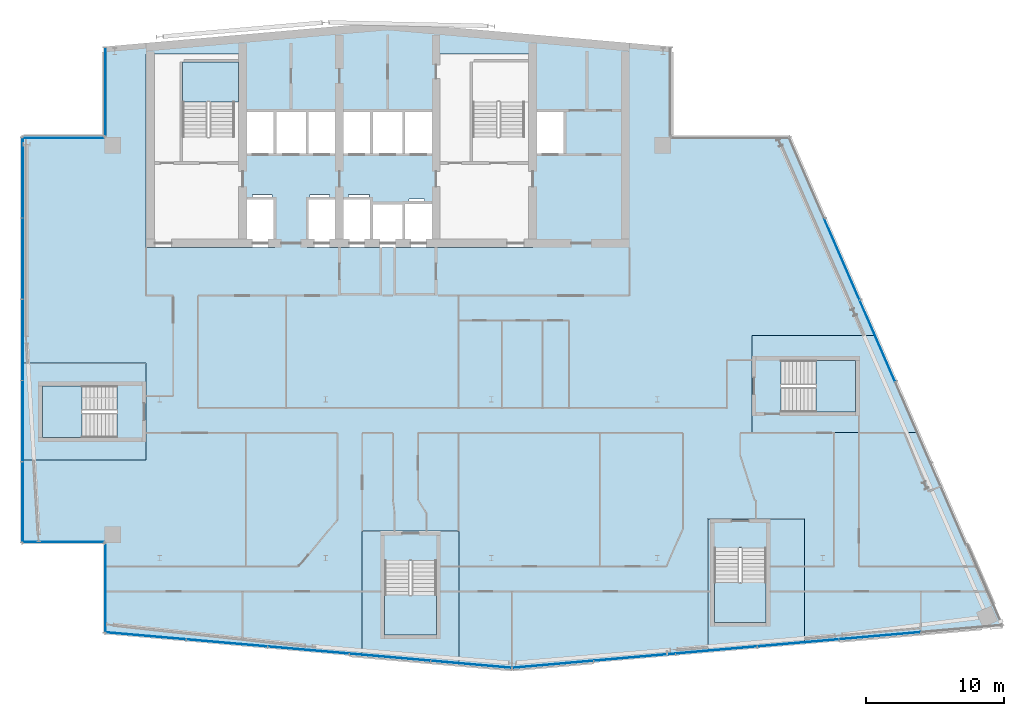
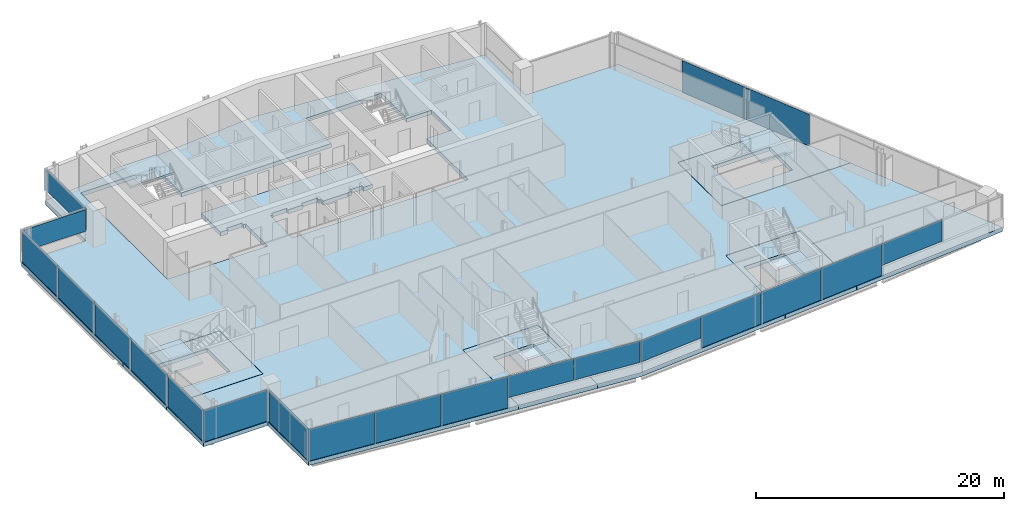
# One storey, part 12 of 22: 21 plates, 10 slabs, 13 elements without a shape of their own.
"""IFC4 building model written with IfcOpenShell, lengths in metres."""

from ifc_helpers import new_model, si_unit, direction, frame, origin, origin_2d, place, context, subcontext, project, spatial, polyline, rectangle, outline, extrude, material, layer, layer_set, type_object, element, aggregate, save


model = new_model("IFC4")

# Units and contexts
model_context = context("Model", 3, precision=1e-05, world=origin(), true_north=direction((0.0, 1.0)))
body_context = subcontext(model_context, "Body", "Model", "MODEL_VIEW")
ifc_project = project(units=[si_unit("LENGTHUNIT", "METRE"), si_unit("AREAUNIT", "SQUARE_METRE"), si_unit("VOLUMEUNIT", "CUBIC_METRE"), si_unit("PLANEANGLEUNIT", "RADIAN"), si_unit("MASSUNIT", "GRAM", prefix="KILO")], contexts=[model_context])

# Site, building, storey
site_placement = place(None, origin())
site = spatial("IfcSite", under=ifc_project, at=site_placement, CompositionType="ELEMENT")
building_placement = place(site_placement, origin())
building = spatial("IfcBuilding", under=site, at=building_placement, Name="Wharfspan Tower", CompositionType="ELEMENT")
storey_placement = place(building_placement, frame((0.0, 0.0, 246.699951)))
storey = spatial("IfcBuildingStorey", under=building, at=storey_placement, Name="L62", CompositionType="ELEMENT", Elevation=246.699951)

# Curtain wall, plates
ifc_material_1 = material(Name="Aluminium 6063-T6", Category="aluminium")
curtain_wall_type_1 = type_object("IfcCurtainWallType", Name="CURTAIN WALL FACETED FRONT", PredefinedType="NOTDEFINED", material=ifc_material_1)
curtain_wall_1_placement = place(storey_placement, origin())
curtain_wall_1 = element("IfcCurtainWall", 1, at=curtain_wall_1_placement, inside=storey, type_object=curtain_wall_type_1, Name="Curtain wall S1", PredefinedType="NOTDEFINED")
ifc_material_2 = material(Name="Glass clear low-iron double glazing", Category="glass")
ifc_layer_1 = layer(ifc_material_2, 0.040039)
ifc_layer_set_1 = layer_set([ifc_layer_1], Name="Glass clear low-iron double glazing")
plate_type_1 = type_object("IfcPlateType", Name="GLASS PANEL FACETED FRONT 40", PredefinedType="CURTAIN_PANEL", material=ifc_layer_set_1)
plate_1_placement = place(storey_placement, frame((40.655273, 4.328125, 1.0), z_axis=(0.0, 0.0, 1.0), x_axis=(0.996197, -0.087156, 0.0)))
plate_1 = element("IfcPlate", 2, at=plate_1_placement, type_object=plate_type_1, Name="Curtain wall S1 panel 4", PredefinedType="CURTAIN_PANEL", context=body_context, shape_type="SweptSolid", body=[
    extrude(rectangle(XDim=5.862549, YDim=0.040039, at=origin_2d()), origin(), (0.0, 0.0, 1.0), 2.120117),
])
plate_2_placement = place(storey_placement, frame((46.540283, 3.813232, 1.0), z_axis=(0.0, 0.0, 1.0), x_axis=(0.996197, -0.087156, 0.0)))
plate_2 = element("IfcPlate", 3, at=plate_2_placement, type_object=plate_type_1, Name="Curtain wall S1 panel 5", PredefinedType="CURTAIN_PANEL", context=body_context, shape_type="SweptSolid", body=[
    extrude(rectangle(XDim=5.83252, YDim=0.040039, at=origin_2d()), origin(), (0.0, 0.0, 1.0), 2.120117),
])

curtain_wall_2_placement = place(storey_placement, origin())
curtain_wall_2 = element("IfcCurtainWall", 4, at=curtain_wall_2_placement, inside=storey, type_object=curtain_wall_type_1, Name="Curtain wall S2", PredefinedType="NOTDEFINED")
plate_3_placement = place(storey_placement, frame((52.468018, 3.813965, 1.0), z_axis=(0.0, 0.0, 1.0), x_axis=(0.996197, 0.087156, 0.0)))
plate_3 = element("IfcPlate", 5, at=plate_3_placement, type_object=plate_type_1, Name="Curtain wall S2 panel 1", PredefinedType="CURTAIN_PANEL", context=body_context, shape_type="SweptSolid", body=[
    extrude(rectangle(XDim=5.849365, YDim=0.040039, at=origin_2d()), origin(), (0.0, 0.0, 1.0), 2.120117),
])
plate_4_placement = place(storey_placement, frame((76.119873, 5.883301, 1.0), z_axis=(0.0, 0.0, 1.0), x_axis=(0.996197, 0.087156, 0.0)))
plate_4 = element("IfcPlate", 6, at=plate_4_placement, type_object=plate_type_1, Name="Curtain wall S2 panel 5", PredefinedType="CURTAIN_PANEL", context=body_context, shape_type="SweptSolid", body=[
    extrude(rectangle(XDim=5.87915, YDim=0.040039, at=origin_2d()), origin(), (0.0, 0.0, 1.0), 2.120117),
])

# Curtain wall, plate
curtain_wall_type_2 = type_object("IfcCurtainWallType", Name="CURTAIN WALL PROW AND END", PredefinedType="NOTDEFINED", material=ifc_material_1)
curtain_wall_3_placement = place(storey_placement, origin())
curtain_wall_3 = element("IfcCurtainWall", 7, at=curtain_wall_3_placement, inside=storey, type_object=curtain_wall_type_2, Name="Curtain wall NRW-V", PredefinedType="NOTDEFINED")
ifc_layer_2 = layer(ifc_material_2, 0.040039)
ifc_layer_set_2 = layer_set([ifc_layer_2], Name="Glass clear low-iron double glazing")
plate_type_2 = type_object("IfcPlateType", Name="GLASS PANEL PROW AND END 40", PredefinedType="CURTAIN_PANEL", material=ifc_layer_set_2)
plate_5_placement = place(storey_placement, frame((20.080078, 45.262451, 1.0), z_axis=(0.0, 0.0, 1.0), x_axis=(0.0, -1.0, 0.0)))
plate_5 = element("IfcPlate", 8, at=plate_5_placement, type_object=plate_type_2, Name="Curtain wall NRW-V panel 1", PredefinedType="CURTAIN_PANEL", context=body_context, shape_type="SweptSolid", body=[
    extrude(rectangle(XDim=6.405029, YDim=0.040039, at=origin_2d()), origin(), (0.0, 0.0, 1.0), 2.120117),
])
aggregate(curtain_wall_3, [plate_5])

curtain_wall_4_placement = place(storey_placement, origin())
curtain_wall_4 = element("IfcCurtainWall", 9, at=curtain_wall_4_placement, inside=storey, type_object=curtain_wall_type_2, Name="Curtain wall NRW-H", PredefinedType="NOTDEFINED")
plate_6_placement = place(storey_placement, frame((17.0, 41.919922, 1.0), z_axis=(0.0, 0.0, 1.0), x_axis=(-1.0, 0.0, 0.0)))
plate_6 = element("IfcPlate", 10, at=plate_6_placement, type_object=plate_type_2, Name="Curtain wall NRW-H panel 1", PredefinedType="CURTAIN_PANEL", context=body_context, shape_type="SweptSolid", body=[
    extrude(rectangle(XDim=5.879883, YDim=0.040039, at=origin_2d()), origin(), (0.0, 0.0, 1.0), 2.120117),
])
aggregate(curtain_wall_4, [plate_6])

# Plate
ifc_material_3 = material(Name="Aluminium composite opaque insulated panel", Category="aluminium")
ifc_layer_3 = layer(ifc_material_3, 0.040039)
ifc_layer_set_3 = layer_set([ifc_layer_3], Name="Aluminium composite opaque insulated panel")
plate_type_3 = type_object("IfcPlateType", Name="INFILL PANEL FACETED FRONT OPAQUE 40", PredefinedType="SHEET", material=ifc_layer_set_3)
plate_7_placement = place(storey_placement, frame((22.970215, 5.875488, 0.0), z_axis=(0.0, 0.0, 1.0), x_axis=(0.996197, -0.087156, 0.0)))
plate_7 = element("IfcPlate", 11, at=plate_7_placement, type_object=plate_type_3, Name="Curtain wall S1 panel 1", PredefinedType="SHEET", context=body_context, shape_type="SweptSolid", body=[
    extrude(rectangle(XDim=5.83252, YDim=0.040039, at=origin_2d()), origin(), (0.0, 0.0, 1.0), 3.120117),
])

plate_8_placement = place(storey_placement, frame((28.855225, 5.360596, 0.0), z_axis=(0.0, 0.0, 1.0), x_axis=(0.996197, -0.087156, 0.0)))
plate_8 = element("IfcPlate", 12, at=plate_8_placement, type_object=plate_type_3, Name="Curtain wall S1 panel 2", PredefinedType="SHEET", context=body_context, shape_type="SweptSolid", body=[
    extrude(rectangle(XDim=5.862549, YDim=0.040039, at=origin_2d()), origin(), (0.0, 0.0, 1.0), 3.120117),
])

plate_9_placement = place(storey_placement, frame((34.755127, 4.844482, 0.0), z_axis=(0.0, 0.0, 1.0), x_axis=(0.996197, -0.087156, 0.0)))
plate_9 = element("IfcPlate", 13, at=plate_9_placement, type_object=plate_type_3, Name="Curtain wall S1 panel 3", PredefinedType="SHEET", context=body_context, shape_type="SweptSolid", body=[
    extrude(rectangle(XDim=5.862549, YDim=0.040039, at=origin_2d()), origin(), (0.0, 0.0, 1.0), 3.120117),
])

aggregate(curtain_wall_1, [plate_7, plate_8, plate_9, plate_1, plate_2])

plate_10_placement = place(storey_placement, frame((58.369873, 4.330322, 0.0), z_axis=(0.0, 0.0, 1.0), x_axis=(0.996197, 0.087156, 0.0)))
plate_10 = element("IfcPlate", 14, at=plate_10_placement, type_object=plate_type_3, Name="Curtain wall S2 panel 2", PredefinedType="SHEET", context=body_context, shape_type="SweptSolid", body=[
    extrude(rectangle(XDim=5.87915, YDim=0.040039, at=origin_2d()), origin(), (0.0, 0.0, 1.0), 3.120117),
])

plate_11_placement = place(storey_placement, frame((64.286377, 4.848145, 0.0), z_axis=(0.0, 0.0, 1.0), x_axis=(0.996197, 0.087156, 0.0)))
plate_11 = element("IfcPlate", 15, at=plate_11_placement, type_object=plate_type_3, Name="Curtain wall S2 panel 3", PredefinedType="SHEET", context=body_context, shape_type="SweptSolid", body=[
    extrude(rectangle(XDim=5.87915, YDim=0.040039, at=origin_2d()), origin(), (0.0, 0.0, 1.0), 3.120117),
])

plate_12_placement = place(storey_placement, frame((70.203125, 5.365723, 0.0), z_axis=(0.0, 0.0, 1.0), x_axis=(0.996197, 0.087156, 0.0)))
plate_12 = element("IfcPlate", 16, at=plate_12_placement, type_object=plate_type_3, Name="Curtain wall S2 panel 4", PredefinedType="SHEET", context=body_context, shape_type="SweptSolid", body=[
    extrude(rectangle(XDim=5.87915, YDim=0.040039, at=origin_2d()), origin(), (0.0, 0.0, 1.0), 3.120117),
])

aggregate(curtain_wall_2, [plate_3, plate_10, plate_11, plate_12, plate_4])

# Curtain wall, plates
curtain_wall_5_placement = place(storey_placement, origin())
curtain_wall_5 = element("IfcCurtainWall", 17, at=curtain_wall_5_placement, inside=storey, type_object=curtain_wall_type_2, Name="Curtain wall E", PredefinedType="NOTDEFINED")
ifc_layer_4 = layer(ifc_material_3, 0.040039)
ifc_layer_set_4 = layer_set([ifc_layer_4], Name="Aluminium composite opaque insulated panel")
plate_type_4 = type_object("IfcPlateType", Name="INFILL PANEL PROW AND END OPAQUE 40", PredefinedType="SHEET", material=ifc_layer_set_4)
plate_13_placement = place(storey_placement, frame((75.948486, 27.218018, 0.0), z_axis=(0.0, 0.0, 1.0), x_axis=(-0.398727, 0.917072, 0.0)))
plate_13 = element("IfcPlate", 18, at=plate_13_placement, type_object=plate_type_4, Name="Curtain wall E panel 4", PredefinedType="SHEET", context=body_context, shape_type="SweptSolid", body=[
    extrude(rectangle(XDim=6.373535, YDim=0.040039, at=origin_2d()), origin(), (0.0, 0.0, 1.0), 3.120117),
])
plate_14_placement = place(storey_placement, frame((73.383057, 33.118164, 0.0), z_axis=(0.0, 0.0, 1.0), x_axis=(-0.398727, 0.917072, 0.0)))
plate_14 = element("IfcPlate", 19, at=plate_14_placement, type_object=plate_type_4, Name="Curtain wall E panel 5", PredefinedType="SHEET", context=body_context, shape_type="SweptSolid", body=[
    extrude(rectangle(XDim=6.373535, YDim=0.040039, at=origin_2d()), origin(), (0.0, 0.0, 1.0), 3.120117),
])
aggregate(curtain_wall_5, [plate_13, plate_14])

curtain_wall_6_placement = place(storey_placement, origin())
curtain_wall_6 = element("IfcCurtainWall", 20, at=curtain_wall_6_placement, inside=storey, type_object=curtain_wall_type_2, Name="Curtain wall W", PredefinedType="NOTDEFINED")
plate_15_placement = place(storey_placement, frame((14.080078, 39.044922, 0.0), z_axis=(0.0, 0.0, 1.0), x_axis=(0.0, -1.0, 0.0)))
plate_15 = element("IfcPlate", 21, at=plate_15_placement, type_object=plate_type_4, Name="Curtain wall W panel 1", PredefinedType="SHEET", context=body_context, shape_type="SweptSolid", body=[
    extrude(rectangle(XDim=5.790039, YDim=0.040039, at=origin_2d()), origin(), (0.0, 0.0, 1.0), 3.120117),
])
plate_16_placement = place(storey_placement, frame((14.080078, 33.179932, 0.0), z_axis=(0.0, 0.0, 1.0), x_axis=(0.0, -1.0, 0.0)))
plate_16 = element("IfcPlate", 22, at=plate_16_placement, type_object=plate_type_4, Name="Curtain wall W panel 2", PredefinedType="SHEET", context=body_context, shape_type="SweptSolid", body=[
    extrude(rectangle(XDim=5.820068, YDim=0.040039, at=origin_2d()), origin(), (0.0, 0.0, 1.0), 3.120117),
])
plate_17_placement = place(storey_placement, frame((14.080078, 27.300049, 0.0), z_axis=(0.0, 0.0, 1.0), x_axis=(0.0, -1.0, 0.0)))
plate_17 = element("IfcPlate", 23, at=plate_17_placement, type_object=plate_type_4, Name="Curtain wall W panel 3", PredefinedType="SHEET", context=body_context, shape_type="SweptSolid", body=[
    extrude(rectangle(XDim=5.820068, YDim=0.040039, at=origin_2d()), origin(), (0.0, 0.0, 1.0), 3.120117),
])
plate_18_placement = place(storey_placement, frame((14.080078, 21.419922, 0.0), z_axis=(0.0, 0.0, 1.0), x_axis=(0.0, -1.0, 0.0)))
plate_18 = element("IfcPlate", 24, at=plate_18_placement, type_object=plate_type_4, Name="Curtain wall W panel 4", PredefinedType="SHEET", context=body_context, shape_type="SweptSolid", body=[
    extrude(rectangle(XDim=5.820068, YDim=0.040039, at=origin_2d()), origin(), (0.0, 0.0, 1.0), 3.120117),
])
plate_19_placement = place(storey_placement, frame((14.080078, 15.554932, 0.0), z_axis=(0.0, 0.0, 1.0), x_axis=(0.0, -1.0, 0.0)))
plate_19 = element("IfcPlate", 25, at=plate_19_placement, type_object=plate_type_4, Name="Curtain wall W panel 5", PredefinedType="SHEET", context=body_context, shape_type="SweptSolid", body=[
    extrude(rectangle(XDim=5.790039, YDim=0.040039, at=origin_2d()), origin(), (0.0, 0.0, 1.0), 3.120117),
])
aggregate(curtain_wall_6, [plate_15, plate_16, plate_17, plate_18, plate_19])

# Curtain wall, plate
curtain_wall_7_placement = place(storey_placement, origin())
curtain_wall_7 = element("IfcCurtainWall", 26, at=curtain_wall_7_placement, inside=storey, type_object=curtain_wall_type_2, Name="Curtain wall NFW-H", PredefinedType="NOTDEFINED")
plate_20_placement = place(storey_placement, frame((17.0, 12.679932, 0.0), z_axis=(0.0, 0.0, 1.0), x_axis=(1.0, 0.0, 0.0)))
plate_20 = element("IfcPlate", 27, at=plate_20_placement, type_object=plate_type_4, Name="Curtain wall NFW-H panel 1", PredefinedType="SHEET", context=body_context, shape_type="SweptSolid", body=[
    extrude(rectangle(XDim=5.879883, YDim=0.040039, at=origin_2d()), origin(), (0.0, 0.0, 1.0), 3.120117),
])
aggregate(curtain_wall_7, [plate_20])

curtain_wall_8_placement = place(storey_placement, origin())
curtain_wall_8 = element("IfcCurtainWall", 28, at=curtain_wall_8_placement, inside=storey, type_object=curtain_wall_type_2, Name="Curtain wall NFW-V", PredefinedType="NOTDEFINED")
plate_21_placement = place(storey_placement, frame((20.080078, 9.337646, 0.0), z_axis=(0.0, 0.0, 1.0), x_axis=(0.0, -1.0, 0.0)))
plate_21 = element("IfcPlate", 29, at=plate_21_placement, type_object=plate_type_4, Name="Curtain wall NFW-V panel 1", PredefinedType="SHEET", context=body_context, shape_type="SweptSolid", body=[
    extrude(rectangle(XDim=6.405029, YDim=0.040039, at=origin_2d()), origin(), (0.0, 0.0, 1.0), 3.120117),
])
aggregate(curtain_wall_8, [plate_21])

# Slabs
ifc_material_4 = material(Name="Concrete C40/50", Category="concrete")
ifc_layer_5 = layer(ifc_material_4, 0.399902)
ifc_layer_set_5 = layer_set([ifc_layer_5], Name="Concrete C40/50")
slab_type_1 = type_object("IfcSlabType", Name="Post-tensioned flat slab 400", PredefinedType="FLOOR", material=ifc_layer_set_5)
slab_1_placement = place(storey_placement, frame((0.0, 0.0, -0.400146)))
element("IfcSlab", 30, at=slab_1_placement, inside=storey, type_object=slab_type_1, Name="Floor slab L62", PredefinedType="FLOOR", context=body_context, shape_type="SweptSolid", body=[
    extrude(outline(polyline([(38.64209, 4.444092), (38.64209, 13.453125), (45.662109, 13.453125), (45.662109, 3.829834), (49.5, 3.494141), (63.658691, 4.73291), (63.658691, 14.356201), (70.678711, 14.356201), (70.678711, 5.347168), (85.0, 6.600098), (78.91748, 20.590088), (66.859619, 20.590088), (66.859619, 27.610107), (75.865234, 27.610107), (69.608643, 42.0), (61.0, 42.0), (61.0, 48.524902), (40.5, 50.318359), (20.0, 48.524902), (20.0, 42.0), (14.0, 42.0), (14.0, 25.610107), (23.01001, 25.610107), (23.01001, 18.590088), (14.0, 18.590088), (14.0, 12.600098), (20.0, 12.600098), (20.0, 6.075195), (38.64209, 4.444092)]), holes=[polyline([(32.126709, 37.560059), (32.343262, 37.560059), (32.343262, 33.98999), (22.98999, 33.98999), (22.98999, 48.01001), (30.01001, 48.01001), (30.01001, 43.909912), (43.98999, 43.909912), (43.98999, 48.01001), (51.01001, 48.01001), (51.01001, 43.909912), (53.343262, 43.909912), (53.343262, 40.689941), (51.01001, 40.689941), (51.01001, 33.98999), (34.656738, 33.98999), (34.656738, 37.560059), (34.873291, 37.560059), (34.873291, 37.810059), (36.293213, 37.810059), (36.293213, 37.560059), (37.666748, 37.560059), (37.666748, 37.810059), (39.166748, 37.810059), (39.166748, 37.560059), (39.343262, 37.560059), (39.343262, 37.209961), (41.656738, 37.209961), (41.656738, 37.26001), (42.023193, 37.26001), (42.023193, 37.51001), (43.143311, 37.51001), (43.143311, 37.26001), (43.98999, 37.26001), (43.98999, 40.689941), (30.01001, 40.689941), (30.01001, 37.560059), (30.706787, 37.560059), (30.706787, 37.810059), (32.126709, 37.810059), (32.126709, 37.560059)])]), origin(), (0.0, 0.0, 1.0), 0.400146),
])
slab_2_placement = place(storey_placement, frame((0.0, 0.0, -0.400146)))
element("IfcSlab", 31, at=slab_2_placement, inside=storey, type_object=slab_type_1, Name="Core floor slab L62 part 1", PredefinedType="FLOOR", context=body_context, shape_type="SweptSolid", body=[
    extrude(outline(polyline([(23.0, 19.925049), (23.0, 24.274902), (23.0, 25.600098), (14.0, 25.600098), (14.0, 18.600098), (23.0, 18.600098), (23.0, 19.925049)]), holes=[polyline([(20.899902, 23.977051), (20.900146, 23.977051), (20.900391, 23.977051), (20.900635, 23.976807), (20.900879, 23.976807), (20.900879, 23.976807), (20.901123, 23.976807), (20.901367, 23.976562), (20.901367, 23.976318), (20.901611, 23.976318), (20.901611, 23.976074), (20.901855, 23.97583), (20.901855, 23.97583), (20.901855, 23.975586), (20.9021, 23.975342), (20.9021, 23.975098), (20.9021, 23.975098), (20.9021, 20.225098), (20.9021, 20.224854), (20.9021, 20.224609), (20.901855, 20.224365), (20.901855, 20.224121), (20.901855, 20.224121), (20.901611, 20.223877), (20.901611, 20.223633), (20.901367, 20.223633), (20.901367, 20.223389), (20.901123, 20.223389), (20.900879, 20.223145), (20.900879, 20.223145), (20.900635, 20.223145), (20.900391, 20.2229), (20.900146, 20.2229), (20.899902, 20.2229), (15.5, 20.2229), (15.499756, 20.2229), (15.499512, 20.2229), (15.499512, 20.223145), (15.499268, 20.223145), (15.499023, 20.223145), (15.498779, 20.223389), (15.498779, 20.223389), (15.498535, 20.223633), (15.498535, 20.223633), (15.498291, 20.223877), (15.498291, 20.224121), (15.498291, 20.224121), (15.498047, 20.224365), (15.498047, 20.224609), (15.498047, 20.224854), (15.498047, 20.225098), (15.498047, 23.975098), (15.498047, 23.975098), (15.498047, 23.975342), (15.498047, 23.975586), (15.498291, 23.97583), (15.498291, 23.97583), (15.498291, 23.976074), (15.498535, 23.976318), (15.498535, 23.976318), (15.498779, 23.976562), (15.498779, 23.976807), (15.499023, 23.976807), (15.499268, 23.976807), (15.499512, 23.976807), (15.499512, 23.977051), (15.499756, 23.977051), (15.5, 23.977051), (20.899902, 23.977051)])]), origin(), (0.0, 0.0, 1.0), 0.400146),
])
slab_3_placement = place(storey_placement, frame((0.0, 0.0, -0.400146)))
element("IfcSlab", 32, at=slab_3_placement, inside=storey, type_object=slab_type_1, Name="Core floor slab L62 part 3", PredefinedType="FLOOR", context=body_context, shape_type="SweptSolid", body=[
    extrude(outline(polyline([(44.327148, 13.443115), (39.977051, 13.443115), (38.6521, 13.443115), (38.6521, 4.443115), (45.6521, 3.830811), (45.6521, 13.443115), (44.327148, 13.443115)]), holes=[polyline([(40.275146, 11.343262), (40.275146, 11.343506), (40.275146, 11.343506), (40.275146, 11.34375), (40.275391, 11.343994), (40.275391, 11.344238), (40.275391, 11.344238), (40.275635, 11.344482), (40.275635, 11.344482), (40.275879, 11.344727), (40.275879, 11.344971), (40.276123, 11.344971), (40.276367, 11.345215), (40.276611, 11.345215), (40.276611, 11.345215), (40.276855, 11.345215), (40.2771, 11.345215), (44.0271, 11.345215), (44.027344, 11.345215), (44.027588, 11.345215), (44.027588, 11.345215), (44.027832, 11.345215), (44.028076, 11.344971), (44.02832, 11.344971), (44.02832, 11.344727), (44.028564, 11.344482), (44.028809, 11.344482), (44.028809, 11.344238), (44.028809, 11.344238), (44.029053, 11.343994), (44.029053, 11.34375), (44.029053, 11.343506), (44.029053, 11.343506), (44.029053, 11.343262), (44.029053, 5.943115), (44.029053, 5.943115), (44.029053, 5.942871), (44.029053, 5.942627), (44.029053, 5.942383), (44.028809, 5.942383), (44.028809, 5.942139), (44.028809, 5.941895), (44.028564, 5.941895), (44.02832, 5.94165), (44.02832, 5.94165), (44.028076, 5.941406), (44.027832, 5.941406), (44.027588, 5.941406), (44.027588, 5.941406), (44.027344, 5.941162), (44.0271, 5.941162), (40.2771, 5.941162), (40.276855, 5.941162), (40.276611, 5.941406), (40.276611, 5.941406), (40.276367, 5.941406), (40.276123, 5.941406), (40.275879, 5.94165), (40.275879, 5.94165), (40.275635, 5.941895), (40.275635, 5.941895), (40.275391, 5.942139), (40.275391, 5.942383), (40.275391, 5.942383), (40.275146, 5.942627), (40.275146, 5.942871), (40.275146, 5.943115), (40.275146, 5.943115), (40.275146, 11.343262)])]), origin(), (0.0, 0.0, 1.0), 0.400146),
])
slab_4_placement = place(storey_placement, frame((0.0, 0.0, -0.400146)))
element("IfcSlab", 33, at=slab_4_placement, inside=storey, type_object=slab_type_1, Name="Core floor slab L62 part 4", PredefinedType="FLOOR", context=body_context, shape_type="SweptSolid", body=[
    extrude(outline(polyline([(70.668701, 14.346191), (68.193848, 14.346191), (63.84375, 14.346191), (63.668701, 14.346191), (63.668701, 4.733887), (70.668701, 5.346191), (70.668701, 14.346191)]), holes=[polyline([(64.141846, 12.246094), (64.141846, 12.246338), (64.141846, 12.246582), (64.141846, 12.246826), (64.14209, 12.246826), (64.14209, 12.24707), (64.14209, 12.247314), (64.142334, 12.247559), (64.142334, 12.247559), (64.142578, 12.247803), (64.142578, 12.247803), (64.142822, 12.247803), (64.143066, 12.248047), (64.143311, 12.248047), (64.143311, 12.248047), (64.143555, 12.248291), (64.143799, 12.248291), (67.893799, 12.248291), (67.894043, 12.248291), (67.894287, 12.248047), (67.894287, 12.248047), (67.894531, 12.248047), (67.894775, 12.247803), (67.89502, 12.247803), (67.89502, 12.247803), (67.895264, 12.247559), (67.895508, 12.247559), (67.895508, 12.247314), (67.895508, 12.24707), (67.895752, 12.246826), (67.895752, 12.246826), (67.895752, 12.246582), (67.895752, 12.246338), (67.895752, 12.246094), (67.895752, 6.846191), (67.895752, 6.845947), (67.895752, 6.845703), (67.895752, 6.845703), (67.895752, 6.845459), (67.895508, 6.845215), (67.895508, 6.845215), (67.895508, 6.844971), (67.895264, 6.844727), (67.89502, 6.844482), (67.89502, 6.844482), (67.894775, 6.844482), (67.894531, 6.844238), (67.894287, 6.844238), (67.894287, 6.844238), (67.894043, 6.844238), (67.893799, 6.844238), (64.143799, 6.844238), (64.143555, 6.844238), (64.143311, 6.844238), (64.143311, 6.844238), (64.143066, 6.844238), (64.142822, 6.844482), (64.142578, 6.844482), (64.142578, 6.844482), (64.142334, 6.844727), (64.142334, 6.844971), (64.14209, 6.845215), (64.14209, 6.845215), (64.14209, 6.845459), (64.141846, 6.845703), (64.141846, 6.845703), (64.141846, 6.845947), (64.141846, 6.846191), (64.141846, 12.246094)])]), origin(), (0.0, 0.0, 1.0), 0.400146),
])
slab_5_placement = place(storey_placement, frame((0.0, 0.0, -0.400146)))
element("IfcSlab", 34, at=slab_5_placement, inside=storey, type_object=slab_type_1, Name="Core floor slab L62 part 5", PredefinedType="FLOOR", context=body_context, shape_type="SweptSolid", body=[
    extrude(outline(polyline([(75.869629, 27.600098), (66.869629, 27.600098), (66.869629, 26.125), (66.869629, 21.774902), (66.869629, 20.600098), (78.913086, 20.600098), (75.869629, 27.600098)]), holes=[polyline([(68.967529, 25.824951), (68.967529, 25.825195), (68.967529, 25.825439), (68.967773, 25.825684), (68.967773, 25.825684), (68.967773, 25.825928), (68.968018, 25.826172), (68.968018, 25.826416), (68.968262, 25.826416), (68.968262, 25.826416), (68.968506, 25.82666), (68.968506, 25.826904), (68.96875, 25.826904), (68.968994, 25.826904), (68.969238, 25.826904), (68.969482, 25.826904), (68.969482, 25.826904), (74.369629, 25.826904), (74.369873, 25.826904), (74.370117, 25.826904), (74.370117, 25.826904), (74.370361, 25.826904), (74.370605, 25.826904), (74.370605, 25.82666), (74.37085, 25.826416), (74.371094, 25.826416), (74.371094, 25.826416), (74.371094, 25.826172), (74.371338, 25.825928), (74.371338, 25.825684), (74.371582, 25.825684), (74.371582, 25.825439), (74.371582, 25.825195), (74.371582, 25.824951), (74.371582, 22.074951), (74.371582, 22.074707), (74.371582, 22.074707), (74.371582, 22.074463), (74.371338, 22.074219), (74.371338, 22.074219), (74.371094, 22.073975), (74.371094, 22.07373), (74.371094, 22.073486), (74.37085, 22.073486), (74.370605, 22.073242), (74.370605, 22.073242), (74.370361, 22.073242), (74.370117, 22.072998), (74.370117, 22.072998), (74.369873, 22.072998), (74.369629, 22.072998), (68.969482, 22.072998), (68.969482, 22.072998), (68.969238, 22.072998), (68.968994, 22.072998), (68.96875, 22.073242), (68.968506, 22.073242), (68.968506, 22.073242), (68.968262, 22.073486), (68.968262, 22.073486), (68.968018, 22.07373), (68.968018, 22.073975), (68.967773, 22.074219), (68.967773, 22.074219), (68.967773, 22.074463), (68.967529, 22.074707), (68.967529, 22.074707), (68.967529, 22.074951), (68.967529, 25.824951)])]), origin(), (0.0, 0.0, 1.0), 0.400146),
])

# Stair, slab
stair_type = type_object("IfcStairType", Name="Half-turn stair 20 risers 180 mm", PredefinedType="HALF_TURN_STAIR", material=ifc_material_4)
stair_1_placement = place(storey_placement, origin())
stair_1 = element("IfcStair", 35, at=stair_1_placement, inside=storey, type_object=stair_type, Name="L62 stair ST1", PredefinedType="HALF_TURN_STAIR")
ifc_layer_6 = layer(ifc_material_4, 0.199951)
ifc_layer_set_6 = layer_set([ifc_layer_6], Name="Concrete C40/50")
slab_type_2 = type_object("IfcSlabType", Name="Stair landing 200", PredefinedType="LANDING", material=ifc_layer_set_6)
slab_6_placement = place(storey_placement, frame((0.0, 0.0, 1.599854)))
slab_6 = element("IfcSlab", 36, at=slab_6_placement, type_object=slab_type_2, Name="ST1 landing 1", PredefinedType="LANDING", context=body_context, shape_type="SweptSolid", body=[
    extrude(outline(polyline([(25.649902, 44.52002), (29.699951, 44.52002), (29.699951, 47.399902), (25.649902, 47.399902), (25.649902, 44.52002)])), origin(), (0.0, 0.0, 1.0), 0.200195),
])
aggregate(stair_1, [slab_6])

stair_2_placement = place(storey_placement, origin())
stair_2 = element("IfcStair", 37, at=stair_2_placement, inside=storey, type_object=stair_type, Name="L62 stair ST3", PredefinedType="HALF_TURN_STAIR")
slab_7_placement = place(storey_placement, frame((0.0, 0.0, 1.599854)))
slab_7 = element("IfcSlab", 38, at=slab_7_placement, type_object=slab_type_2, Name="ST3 landing 1", PredefinedType="LANDING", context=body_context, shape_type="SweptSolid", body=[
    extrude(outline(polyline([(18.379883, 23.975098), (15.5, 23.975098), (15.5, 20.225098), (18.379883, 20.225098), (18.379883, 23.975098)])), origin(), (0.0, 0.0, 1.0), 0.200195),
])
aggregate(stair_2, [slab_7])

stair_3_placement = place(storey_placement, origin())
stair_3 = element("IfcStair", 39, at=stair_3_placement, inside=storey, type_object=stair_type, Name="L62 stair ST4", PredefinedType="HALF_TURN_STAIR")
slab_8_placement = place(storey_placement, frame((0.0, 0.0, 1.599854)))
slab_8 = element("IfcSlab", 40, at=slab_8_placement, type_object=slab_type_2, Name="ST4 landing 1", PredefinedType="LANDING", context=body_context, shape_type="SweptSolid", body=[
    extrude(outline(polyline([(40.2771, 8.823242), (40.2771, 5.943115), (44.0271, 5.943115), (44.0271, 8.823242), (40.2771, 8.823242)])), origin(), (0.0, 0.0, 1.0), 0.200195),
])
aggregate(stair_3, [slab_8])

stair_4_placement = place(storey_placement, origin())
stair_4 = element("IfcStair", 41, at=stair_4_placement, inside=storey, type_object=stair_type, Name="L62 stair ST5", PredefinedType="HALF_TURN_STAIR")
slab_9_placement = place(storey_placement, frame((0.0, 0.0, 1.599854)))
slab_9 = element("IfcSlab", 42, at=slab_9_placement, type_object=slab_type_2, Name="ST5 landing 1", PredefinedType="LANDING", context=body_context, shape_type="SweptSolid", body=[
    extrude(outline(polyline([(64.143799, 9.726074), (64.143799, 6.846191), (67.893799, 6.846191), (67.893799, 9.726074), (64.143799, 9.726074)])), origin(), (0.0, 0.0, 1.0), 0.200195),
])
aggregate(stair_4, [slab_9])

stair_5_placement = place(storey_placement, origin())
stair_5 = element("IfcStair", 43, at=stair_5_placement, inside=storey, type_object=stair_type, Name="L62 stair ST6", PredefinedType="HALF_TURN_STAIR")
slab_10_placement = place(storey_placement, frame((0.0, 0.0, 1.599854)))
slab_10 = element("IfcSlab", 44, at=slab_10_placement, type_object=slab_type_2, Name="ST6 landing 1", PredefinedType="LANDING", context=body_context, shape_type="SweptSolid", body=[
    extrude(outline(polyline([(71.489502, 22.074951), (74.369629, 22.074951), (74.369629, 25.824951), (71.489502, 25.824951), (71.489502, 22.074951)])), origin(), (0.0, 0.0, 1.0), 0.200195),
])
aggregate(stair_5, [slab_10])

save(model, "model.ifc")
